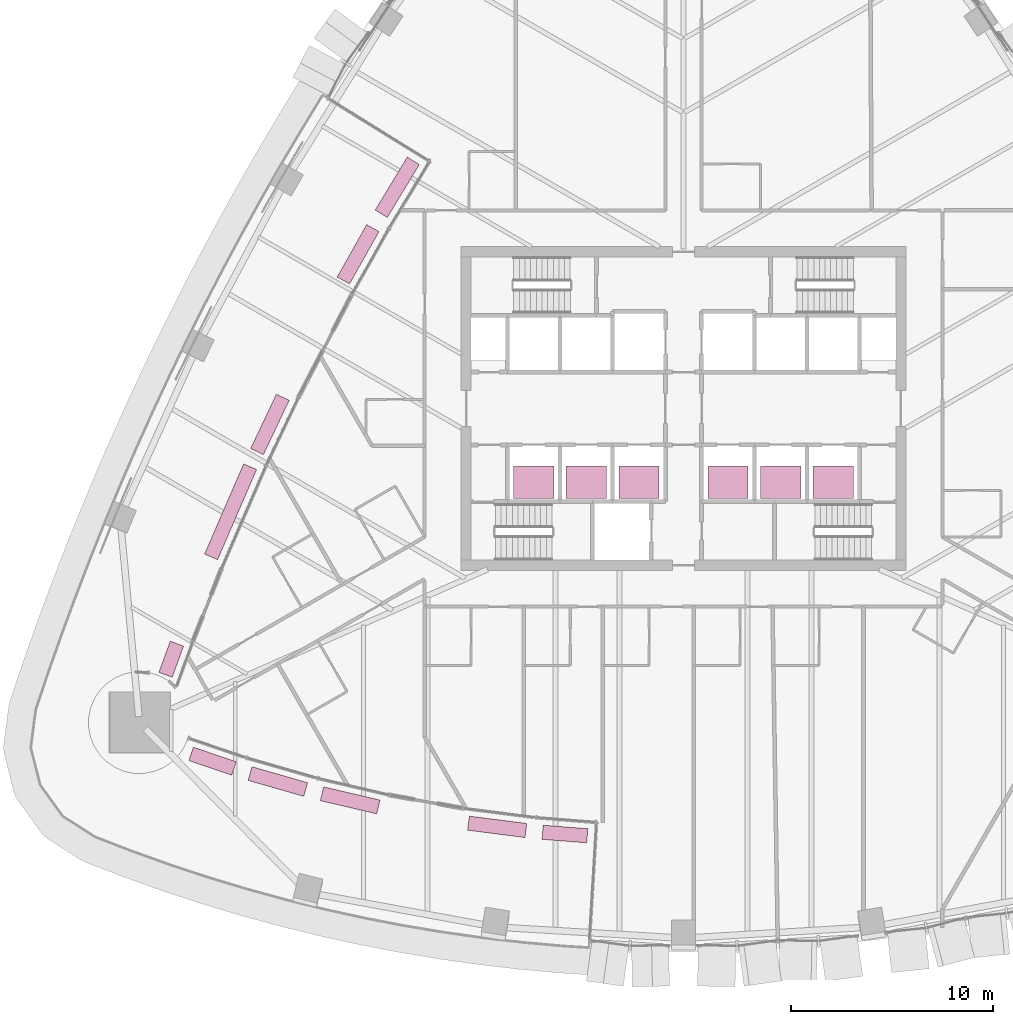
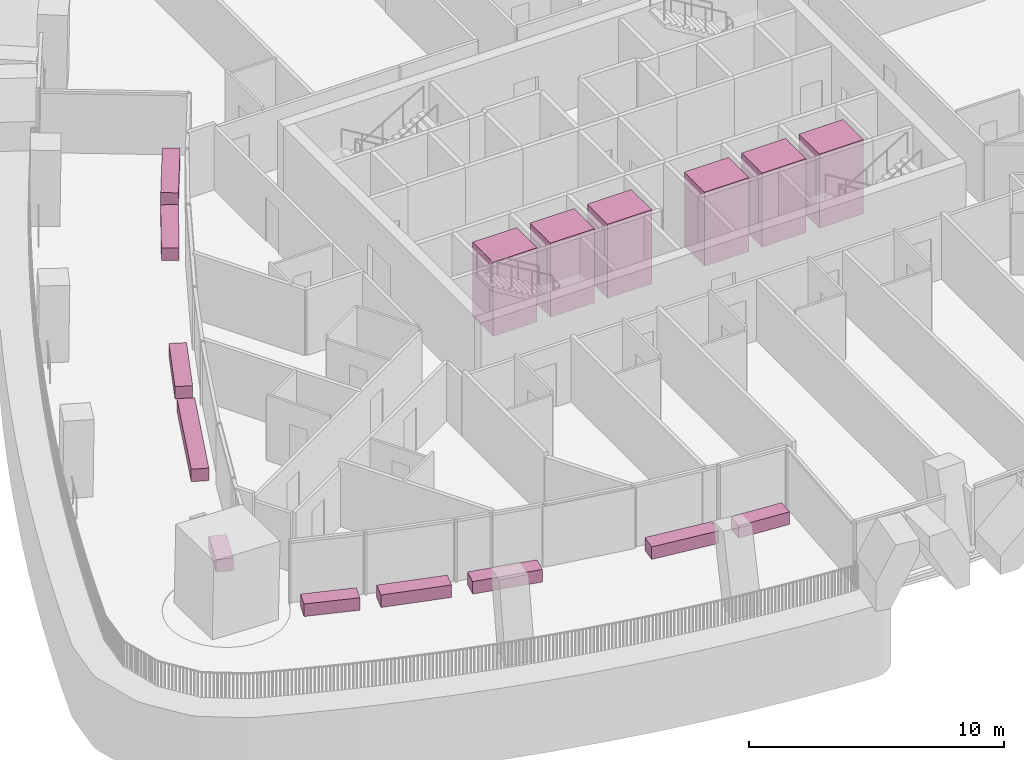
# One storey, part 24 of 24: 10 furniture elements, 6 transport elements.
"""IFC4 building model written with IfcOpenShell, lengths in metres."""

from ifc_helpers import new_model, si_unit, direction, frame, origin, origin_2d, place, context, subcontext, project, spatial, rectangle, extrude, material, type_object, element, save


model = new_model("IFC4")

# Units and contexts
model_context = context("Model", 3, precision=1e-05, world=origin(), true_north=direction((0.0, 1.0)))
body_context = subcontext(model_context, "Body", "Model", "MODEL_VIEW")
ifc_project = project(units=[si_unit("LENGTHUNIT", "METRE"), si_unit("AREAUNIT", "SQUARE_METRE"), si_unit("VOLUMEUNIT", "CUBIC_METRE"), si_unit("PLANEANGLEUNIT", "RADIAN"), si_unit("MASSUNIT", "GRAM", prefix="KILO")], contexts=[model_context])

# Site, building, storey
site_placement = place(None, origin())
site = spatial("IfcSite", under=ifc_project, at=site_placement, CompositionType="ELEMENT")
building_placement = place(site_placement, origin())
building = spatial("IfcBuilding", under=site, at=building_placement, Name="Sierra Prisma Convention Tower", CompositionType="ELEMENT")
storey_placement = place(building_placement, frame((0.0, 0.0, 59.10009765625)))
storey = spatial("IfcBuildingStorey", under=building, at=storey_placement, Name="L10", CompositionType="ELEMENT", Elevation=59.10009765625)

# Transport elements
ifc_material_1 = material(Name="Stainless steel", Category="steel")
transport_element_type = type_object("IfcTransportElementType", Name="Lift car hotel 2000x1600 1600 kg", PredefinedType="ELEVATOR", material=ifc_material_1)
for number, where, z_axis, x_axis, name in (
    (1, (-7.39990234375, -3.64990234375, 0.0), (0.0, 0.0, 1.0), (1.0, 0.0, 0.0), "Lift HT1"),
    (2, (-4.800048828125, -3.64990234375, 0.0), (0.0, 0.0, 1.0), (1.0, 0.0, 0.0), "Lift HT2"),
    (3, (-2.199951171875, -3.64990234375, 0.0), (0.0, 0.0, 1.0), (1.0, 0.0, 0.0), "Lift HT3"),
    (4, (2.199951171875, -3.64990234375, 0.0), (0.0, 0.0, 1.0), (1.0, 0.0, 0.0), "Lift HT4"),
    (5, (4.800048828125, -3.64990234375, 0.0), (0.0, 0.0, 1.0), (1.0, 0.0, 0.0), "Lift HT5"),
    (6, (7.39990234375, -3.64990234375, 0.0), (0.0, 0.0, 1.0), (1.0, 0.0, 0.0), "Lift HT6"),
):
    element("IfcTransportElement", number, at=place(storey_placement, frame(where, z_axis=z_axis, x_axis=x_axis)), inside=storey, type_object=transport_element_type, Name=name, PredefinedType="ELEVATOR", context=body_context, shape_type="SweptSolid", body=[
        extrude(rectangle(XDim=2.0, YDim=1.60009765625, at=origin_2d()), origin(), (0.0, 0.0, 1.0), 3.550048828125),
    ])

# Furniture
ifc_material_2 = material(Name="Precast concrete C40/50", Category="concrete")
furniture_type = type_object("IfcFurnitureType", Name="Terrace planter", AssemblyPlace="NOTDEFINED", PredefinedType="USERDEFINED", material=ifc_material_2)
furniture_1_placement = place(storey_placement, frame((-14.152099609375, 10.939208984375, 0.039794921875), z_axis=(0.0, 0.0, 1.0), x_axis=(-0.518035025913, -0.85535940512, 0.0)))
element("IfcFurniture", 7, at=furniture_1_placement, inside=storey, type_object=furniture_type, Name="Planter L10.1", ObjectType="PLANTER", PredefinedType="USERDEFINED", context=body_context, shape_type="SweptSolid", body=[
    extrude(rectangle(XDim=3.06005859375, YDim=0.699951171875, at=origin_2d()), origin(), (0.0, 0.0, 1.0), 0.60009765625),
])
for number, where, z_axis, x_axis, name in (
    (8, (-16.088623046875, 7.62646484375, 0.039794921875), (0.0, 0.0, 1.0), (-0.490829383856, -0.871255712144, 0.0), "Planter L10.2"),
    (9, (-20.449462890625, -0.784912109375, 0.039794921875), (0.0, 0.0, 1.0), (-0.429148646654, -0.903233878392, 0.0), "Planter L10.4"),
):
    element("IfcFurniture", number, at=place(storey_placement, frame(where, z_axis=z_axis, x_axis=x_axis)), inside=storey, type_object=furniture_type, Name=name, ObjectType="PLANTER", PredefinedType="USERDEFINED", context=body_context, shape_type="SweptSolid", body=[
        extrude(rectangle(XDim=2.971435546875, YDim=0.699951171875, at=origin_2d()), origin(), (0.0, 0.0, 1.0), 0.60009765625),
    ])
furniture_2_placement = place(storey_placement, frame((-22.39306640625, -5.105712890625, 0.039794921875), z_axis=(0.0, 0.0, 1.0), x_axis=(-0.397512430068, -0.917596789413, 0.0)))
element("IfcFurniture", 10, at=furniture_2_placement, inside=storey, type_object=furniture_type, Name="Planter L10.5", ObjectType="PLANTER", PredefinedType="USERDEFINED", context=body_context, shape_type="SweptSolid", body=[
    extrude(rectangle(XDim=4.85693359375, YDim=0.699951171875, at=origin_2d()), origin(), (0.0, 0.0, 1.0), 0.60009765625),
])
furniture_3_placement = place(storey_placement, frame((-25.328857421875, -12.395751953125, 0.039794921875), z_axis=(0.0, 0.0, 1.0), x_axis=(-0.342949484266, -0.939353847728, 0.0)))
element("IfcFurniture", 11, at=furniture_3_placement, inside=storey, type_object=furniture_type, Name="Planter L10.7", ObjectType="PLANTER", PredefinedType="USERDEFINED", context=body_context, shape_type="SweptSolid", body=[
    extrude(rectangle(XDim=1.6396484375, YDim=0.699951171875, at=origin_2d()), origin(), (0.0, 0.0, 1.0), 0.60009765625),
])
furniture_4_placement = place(storey_placement, frame((-23.28564453125, -17.437255859375, 0.039794921875), z_axis=(0.0, 0.0, 1.0), x_axis=(0.946540024653, -0.322586394211, 0.0)))
element("IfcFurniture", 12, at=furniture_4_placement, inside=storey, type_object=furniture_type, Name="Planter L10.34", ObjectType="PLANTER", PredefinedType="USERDEFINED", context=body_context, shape_type="SweptSolid", body=[
    extrude(rectangle(XDim=2.236328125, YDim=0.699951171875, at=origin_2d()), origin(), (0.0, 0.0, 1.0), 0.60009765625),
])
for number, where, z_axis, x_axis, name in (
    (13, (-20.0576171875, -18.443359375, 0.039794921875), (0.0, 0.0, 1.0), (0.961016258786, -0.276491863077, 0.0), "Planter L10.35"),
    (14, (-16.482177734375, -19.3740234375, 0.039794921875), (0.0, 0.0, 1.0), (0.97384690322, -0.227205213604, 0.0), "Planter L10.36"),
    (15, (-9.212646484375, -20.683837890625, 0.039794921875), (0.0, 0.0, 1.0), (0.991903573703, -0.126993308782, 0.0), "Planter L10.38"),
):
    element("IfcFurniture", number, at=place(storey_placement, frame(where, z_axis=z_axis, x_axis=x_axis)), inside=storey, type_object=furniture_type, Name=name, ObjectType="PLANTER", PredefinedType="USERDEFINED", context=body_context, shape_type="SweptSolid", body=[
        extrude(rectangle(XDim=2.860107421875, YDim=0.699951171875, at=origin_2d()), origin(), (0.0, 0.0, 1.0), 0.60009765625),
    ])
furniture_5_placement = place(storey_placement, frame((-5.8623046875, -21.038818359375, 0.039794921875), z_axis=(0.0, 0.0, 1.0), x_axis=(0.996869994202, -0.079058299122, 0.0)))
element("IfcFurniture", 16, at=furniture_5_placement, inside=storey, type_object=furniture_type, Name="Planter L10.39", ObjectType="PLANTER", PredefinedType="USERDEFINED", context=body_context, shape_type="SweptSolid", body=[
    extrude(rectangle(XDim=2.21240234375, YDim=0.699951171875, at=origin_2d()), origin(), (0.0, 0.0, 1.0), 0.60009765625),
])

save(model, "model.ifc")
